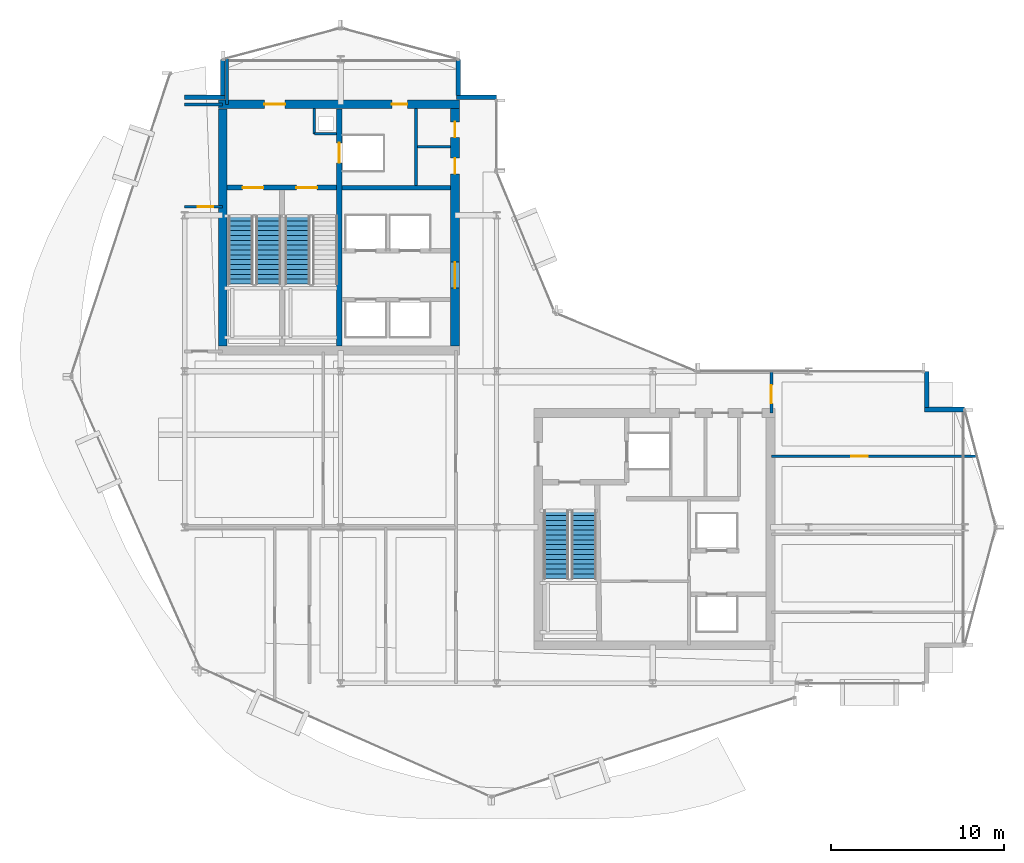
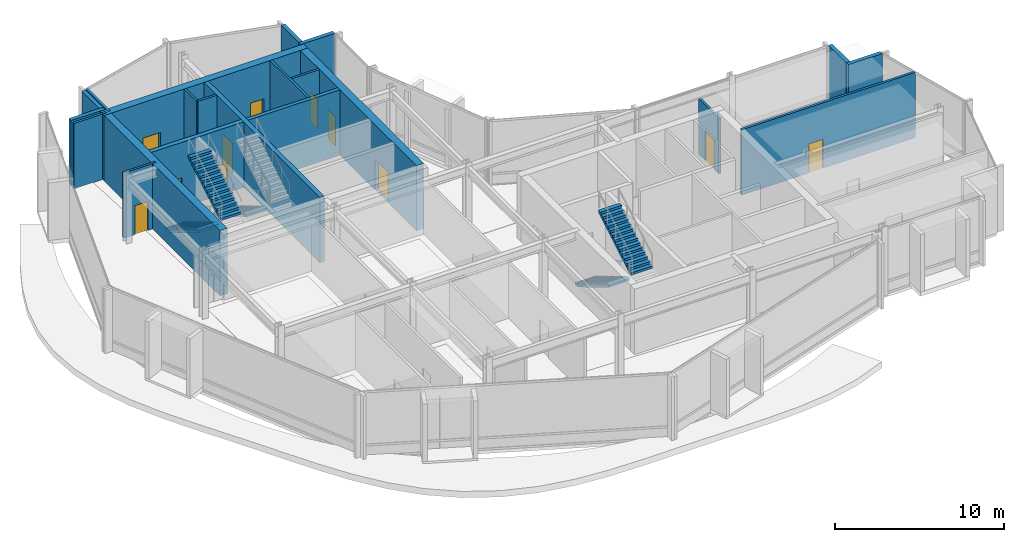
# One storey, part 21 of 28: 21 walls, 11 doors, 5 stair flights, 11 openings, 3 elements without a shape of their own.
"""IFC4 building model written with IfcOpenShell, lengths in metres."""

from ifc_helpers import new_model, si_unit, direction, frame, frame_2d, origin, place, context, subcontext, project, spatial, polyline, rectangle, outline, extrude, material, layer, layer_set, type_object, element, fill, aggregate, save


model = new_model("IFC4")

# Units and contexts
model_context = context("Model", 3, precision=1e-05, world=origin(), true_north=direction((0.0, 1.0)))
body_context = subcontext(model_context, "Body", "Model", "MODEL_VIEW")
ifc_project = project(units=[si_unit("LENGTHUNIT", "METRE"), si_unit("AREAUNIT", "SQUARE_METRE"), si_unit("VOLUMEUNIT", "CUBIC_METRE"), si_unit("PLANEANGLEUNIT", "RADIAN"), si_unit("MASSUNIT", "GRAM", prefix="KILO")], contexts=[model_context])

# Site, building, storey
site_placement = place(None, origin())
site = spatial("IfcSite", under=ifc_project, at=site_placement, CompositionType="ELEMENT")
building_placement = place(site_placement, origin())
building = spatial("IfcBuilding", under=site, at=building_placement, Name="Solvaryn Broadcast Tower", CompositionType="ELEMENT")
storey_placement = place(building_placement, frame((0.0, 0.0, 201.199951171875)))
storey = spatial("IfcBuildingStorey", under=building, at=storey_placement, Name="L50", CompositionType="ELEMENT", Elevation=201.199951171875)

# Wall, openings, doors
ifc_material_1 = material(Name="Concrete f'c 70 MPa", Category="concrete")
ifc_layer_1 = layer(ifc_material_1, 0.5)
ifc_layer_set_1 = layer_set([ifc_layer_1], Name="CW-SHEAR-500")
wall_type_1 = type_object("IfcWallType", Name="CW-SHEAR-500", PredefinedType="SHEAR", material=ifc_layer_set_1)
wall_1_placement = place(storey_placement, frame((24.85009765625, 42.39990234375, 0.0), z_axis=(0.0, 0.0, 1.0), x_axis=(-1.0, 0.0, 0.0)))
wall_1 = element("IfcWall", 1, at=wall_1_placement, inside=storey, type_object=wall_type_1, Name="L50 West Core North Shear Wall", PredefinedType="SHEAR", context=body_context, shape_type="SweptSolid", body=[
    extrude(rectangle(XDim=13.900146484375, YDim=0.5, at=frame_2d((6.9501953125, 0.0))), origin(), (0.0, 0.0, 1.0), 4.719970703125),
])
opening_1_placement = place(wall_1_placement, frame((10.050048828125, 0.0, 0.0)))
opening_1 = element("IfcOpeningElement", 2, at=opening_1_placement, cuts=wall_1, Name="Opening FD90A", PredefinedType="OPENING", context=body_context, shape_type="SweptSolid", body=[
    extrude(rectangle(XDim=1.199951171875, YDim=2.14990234375, at=frame_2d((0.60009765625, 1.074951171875))), frame((0.0, 0.260009765625, 0.0), z_axis=(0.0, -1.0, 0.0), x_axis=(1.0, 0.0, 0.0)), (0.0, 0.0, 1.0), 0.52001953125),
])
opening_2_placement = place(wall_1_placement, frame((3.0, 0.0, 0.0)))
opening_2 = element("IfcOpeningElement", 3, at=opening_2_placement, cuts=wall_1, Name="Opening FD60C", PredefinedType="OPENING", context=body_context, shape_type="SweptSolid", body=[
    extrude(rectangle(XDim=0.89990234375, YDim=2.10009765625, at=frame_2d((0.449951171875, 1.050048828125))), frame((0.0, 0.260009765625, 0.0), z_axis=(0.0, -1.0, 0.0), x_axis=(1.0, 0.0, 0.0)), (0.0, 0.0, 1.0), 0.52001953125),
])
ifc_material_2 = material(Name="Flush Acoustic Steel and Timber Door Assembly", Category="steel")
door_type_1 = type_object("IfcDoorType", Name="FD60-SERV-900X2100", OperationType="NOTDEFINED", PredefinedType="DOOR", material=ifc_material_2)
door_1_placement = place(opening_2_placement, origin())
door_1 = element("IfcDoor", 4, at=door_1_placement, inside=storey, type_object=door_type_1, Name="L50 West Core Fiber Riser Door", OperationType="SINGLE_SWING_RIGHT", OverallHeight=2.10009765625, OverallWidth=0.89990234375, PredefinedType="DOOR", context=body_context, shape_type="SweptSolid", body=[
    extrude(rectangle(XDim=0.89990234375, YDim=2.10009765625, at=frame_2d((0.449951171875, 1.050048828125))), frame((0.0, 0.02490234375, 0.0), z_axis=(0.0, -1.0, 0.0), x_axis=(1.0, 0.0, 0.0)), (0.0, 0.0, 1.0), 0.050048828125),
])
fill(opening_2, door_1)
ifc_material_3 = material(Name="Flush Acoustic Steel and Timber Door Assembly", Category="steel")
door_type_2 = type_object("IfcDoorType", Name="FD90-STAIR-1200X2150", OperationType="NOTDEFINED", PredefinedType="DOOR", material=ifc_material_3)
door_2_placement = place(opening_1_placement, origin())
door_2 = element("IfcDoor", 5, at=door_2_placement, inside=storey, type_object=door_type_2, Name="L50 West FSAE Lobby Corridor Door", OperationType="SINGLE_SWING_LEFT", OverallHeight=2.14990234375, OverallWidth=1.199951171875, PredefinedType="DOOR", context=body_context, shape_type="SweptSolid", body=[
    extrude(rectangle(XDim=1.199951171875, YDim=2.14990234375, at=frame_2d((0.60009765625, 1.074951171875))), frame((0.0, 0.02490234375, 0.0), z_axis=(0.0, -1.0, 0.0), x_axis=(1.0, 0.0, 0.0)), (0.0, 0.0, 1.0), 0.050048828125),
])
fill(opening_1, door_2)

# Wall
wall_2_placement = place(storey_placement, frame((11.199951171875, 42.14990234375, 0.0), z_axis=(0.0, 0.0, 1.0), x_axis=(0.0, -1.0, 0.0)))
element("IfcWall", 6, at=wall_2_placement, inside=storey, type_object=wall_type_1, Name="L50 West Core West Shear Wall", PredefinedType="SHEAR", context=body_context, shape_type="SweptSolid", body=[
    extrude(rectangle(XDim=13.699951171875, YDim=0.5, at=frame_2d((6.85009765625, 0.0))), origin(), (0.0, 0.0, 1.0), 4.719970703125),
])

# Wall, openings, doors
wall_3_placement = place(storey_placement, frame((24.60009765625, 28.449951171875, 0.0), z_axis=(0.0, 0.0, 1.0), x_axis=(0.0, 1.0, 0.0)))
wall_3 = element("IfcWall", 7, at=wall_3_placement, inside=storey, type_object=wall_type_1, Name="L50 West Core East Shear Wall", PredefinedType="SHEAR", context=body_context, shape_type="SweptSolid", body=[
    extrude(rectangle(XDim=13.699951171875, YDim=0.5, at=frame_2d((6.85009765625, 0.0))), origin(), (0.0, 0.0, 1.0), 4.719970703125),
])
opening_3_placement = place(wall_3_placement, frame((3.35009765625, 0.0, 0.0)))
opening_3 = element("IfcOpeningElement", 8, at=opening_3_placement, cuts=wall_3, Name="Opening FD60A", PredefinedType="OPENING", context=body_context, shape_type="SweptSolid", body=[
    extrude(rectangle(XDim=1.5, YDim=2.199951171875, at=frame_2d((0.75, 1.10009765625))), frame((0.0, 0.260009765625, 0.0), z_axis=(0.0, -1.0, 0.0), x_axis=(1.0, 0.0, 0.0)), (0.0, 0.0, 1.0), 0.52001953125),
])
opening_4_placement = place(wall_3_placement, frame((9.949951171875, 0.0, 0.0)))
opening_4 = element("IfcOpeningElement", 9, at=opening_4_placement, cuts=wall_3, Name="Opening FD60C", PredefinedType="OPENING", context=body_context, shape_type="SweptSolid", body=[
    extrude(rectangle(XDim=0.89990234375, YDim=2.10009765625, at=frame_2d((0.449951171875, 1.050048828125))), frame((0.0, 0.260009765625, 0.0), z_axis=(0.0, -1.0, 0.0), x_axis=(1.0, 0.0, 0.0)), (0.0, 0.0, 1.0), 0.52001953125),
])
opening_5_placement = place(wall_3_placement, frame((12.050048828125, 0.0, 0.0)))
opening_5 = element("IfcOpeningElement", 10, at=opening_5_placement, cuts=wall_3, Name="Opening FD60C", PredefinedType="OPENING", context=body_context, shape_type="SweptSolid", body=[
    extrude(rectangle(XDim=0.89990234375, YDim=2.10009765625, at=frame_2d((0.449951171875, 1.050048828125))), frame((0.0, 0.260009765625, 0.0), z_axis=(0.0, -1.0, 0.0), x_axis=(1.0, 0.0, 0.0)), (0.0, 0.0, 1.0), 0.52001953125),
])
ifc_material_4 = material(Name="Flush Acoustic Steel and Timber Door Assembly", Category="steel")
door_type_3 = type_object("IfcDoorType", Name="FD60-CORR-1500X2200", OperationType="NOTDEFINED", PredefinedType="DOOR", material=ifc_material_4)
door_3_placement = place(opening_3_placement, origin())
door_3 = element("IfcDoor", 11, at=door_3_placement, inside=storey, type_object=door_type_3, Name="L50 West Elevator Lobby Corridor Door", OperationType="DOUBLE_DOOR_SINGLE_SWING", OverallHeight=2.199951171875, OverallWidth=1.5, PredefinedType="DOOR", context=body_context, shape_type="SweptSolid", body=[
    extrude(rectangle(XDim=1.5, YDim=2.199951171875, at=frame_2d((0.75, 1.10009765625))), frame((0.0, 0.02490234375, 0.0), z_axis=(0.0, -1.0, 0.0), x_axis=(1.0, 0.0, 0.0)), (0.0, 0.0, 1.0), 0.050048828125),
])
fill(opening_3, door_3)
door_4_placement = place(opening_4_placement, origin())
door_4 = element("IfcDoor", 12, at=door_4_placement, inside=storey, type_object=door_type_1, Name="L50 West Core Service Door 1", OperationType="SINGLE_SWING_LEFT", OverallHeight=2.10009765625, OverallWidth=0.89990234375, PredefinedType="DOOR", context=body_context, shape_type="SweptSolid", body=[
    extrude(rectangle(XDim=0.89990234375, YDim=2.10009765625, at=frame_2d((0.449951171875, 1.050048828125))), frame((0.0, 0.02490234375, 0.0), z_axis=(0.0, -1.0, 0.0), x_axis=(1.0, 0.0, 0.0)), (0.0, 0.0, 1.0), 0.050048828125),
])
fill(opening_4, door_4)
door_5_placement = place(opening_5_placement, origin())
door_5 = element("IfcDoor", 13, at=door_5_placement, inside=storey, type_object=door_type_1, Name="L50 West Core Janitor Door", OperationType="SINGLE_SWING_RIGHT", OverallHeight=2.10009765625, OverallWidth=0.89990234375, PredefinedType="DOOR", context=body_context, shape_type="SweptSolid", body=[
    extrude(rectangle(XDim=0.89990234375, YDim=2.10009765625, at=frame_2d((0.449951171875, 1.050048828125))), frame((0.0, 0.02490234375, 0.0), z_axis=(0.0, -1.0, 0.0), x_axis=(1.0, 0.0, 0.0)), (0.0, 0.0, 1.0), 0.050048828125),
])
fill(opening_5, door_5)

# Walls
ifc_material_5 = material(Name="Concrete f'c 50 MPa", Category="concrete")
ifc_layer_2 = layer(ifc_material_5, 0.260009765625)
ifc_layer_set_2 = layer_set([ifc_layer_2], Name="EW-PIER-260")
wall_type_2 = type_object("IfcWallType", Name="EW-PIER-260", PredefinedType="SOLIDWALL", material=ifc_layer_set_2)
wall_4_placement = place(storey_placement, frame((9.0, 42.800048828125, 0.0), z_axis=(0.0, 0.0, 1.0), x_axis=(1.0, 0.0, 0.0)))
element("IfcWall", 14, at=wall_4_placement, inside=storey, type_object=wall_type_2, Name="L50 Notched Corner Pier Wall NNW1", PredefinedType="SOLIDWALL", context=body_context, shape_type="SweptSolid", body=[
    extrude(rectangle(XDim=2.320068359375, YDim=0.260009765625, at=frame_2d((1.16015625, 0.0))), origin(), (0.0, 0.0, 1.0), 4.719970703125),
])
for number, where, z_axis, x_axis, name in (
    (15, (11.199951171875, 42.919921875, 0.0), (0.0, 0.0, 1.0), (0.0, 1.0, 0.0), "L50 Notched Corner Pier Wall NNW2"),
    (16, (24.800048828125, 45.0, 0.0), (0.0, 0.0, 1.0), (0.0, -1.0, 0.0), "L50 Notched Corner Pier Wall NNE1"),
):
    element("IfcWall", number, at=place(storey_placement, frame(where, z_axis=z_axis, x_axis=x_axis)), inside=storey, type_object=wall_type_2, Name=name, PredefinedType="SOLIDWALL", context=body_context, shape_type="SweptSolid", body=[
        extrude(rectangle(XDim=2.080078125, YDim=0.260009765625, at=frame_2d((1.0400390625, 0.0))), origin(), (0.0, 0.0, 1.0), 4.719970703125),
    ])
for number, where, z_axis, x_axis, name in (
    (17, (24.679931640625, 42.800048828125, 0.0), (0.0, 0.0, 1.0), (1.0, 0.0, 0.0), "L50 Notched Corner Pier Wall NNE2"),
    (18, (54.0, 24.800048828125, 0.0), (0.0, 0.0, 1.0), (-1.0, 0.0, 0.0), "L50 Notched Corner Pier Wall NEE1"),
):
    element("IfcWall", number, at=place(storey_placement, frame(where, z_axis=z_axis, x_axis=x_axis)), inside=storey, type_object=wall_type_2, Name=name, PredefinedType="SOLIDWALL", context=body_context, shape_type="SweptSolid", body=[
        extrude(rectangle(XDim=2.320068359375, YDim=0.260009765625, at=frame_2d((1.16015625, 0.0))), origin(), (0.0, 0.0, 1.0), 4.719970703125),
    ])
wall_5_placement = place(storey_placement, frame((51.800048828125, 24.919921875, 0.0), z_axis=(0.0, 0.0, 1.0), x_axis=(0.0, 1.0, 0.0)))
element("IfcWall", 19, at=wall_5_placement, inside=storey, type_object=wall_type_2, Name="L50 Notched Corner Pier Wall NEE2", PredefinedType="SOLIDWALL", context=body_context, shape_type="SweptSolid", body=[
    extrude(rectangle(XDim=2.080078125, YDim=0.260009765625, at=frame_2d((1.0400390625, 0.0))), origin(), (0.0, 0.0, 1.0), 4.719970703125),
])
ifc_material_6 = material(Name="Metal-Stud Service Core Partition")
ifc_layer_3 = layer(ifc_material_6, 0.14990234375)
ifc_layer_set_3 = layer_set([ifc_layer_3], Name="IW-PART-150")
wall_type_3 = type_object("IfcWallType", Name="IW-PART-150", PredefinedType="PARTITIONING", material=ifc_layer_set_3)
wall_6_placement = place(storey_placement, frame((16.47998046875, 40.699951171875, 0.0), z_axis=(0.0, 0.0, 1.0), x_axis=(1.0, 0.0, 0.0)))
element("IfcWall", 20, at=wall_6_placement, inside=storey, type_object=wall_type_3, Name="L50 West Core Riser Shaft South Wall", PredefinedType="PARTITIONING", context=body_context, shape_type="SweptSolid", body=[
    extrude(rectangle(XDim=1.2900390625, YDim=0.14990234375, at=frame_2d((0.64501953125, 0.0))), origin(), (0.0, 0.0, 1.0), 4.719970703125),
])
wall_7_placement = place(storey_placement, frame((16.47998046875, 40.699951171875, 0.0), z_axis=(0.0, 0.0, 1.0), x_axis=(0.0, 1.0, 0.0)))
element("IfcWall", 21, at=wall_7_placement, inside=storey, type_object=wall_type_3, Name="L50 West Core Riser Shaft West Wall", PredefinedType="PARTITIONING", context=body_context, shape_type="SweptSolid", body=[
    extrude(rectangle(XDim=1.449951171875, YDim=0.14990234375, at=frame_2d((0.72509765625, 0.0))), origin(), (0.0, 0.0, 1.0), 4.719970703125),
])
wall_8_placement = place(storey_placement, frame((22.35009765625, 37.72998046875, 0.0), z_axis=(0.0, 0.0, 1.0), x_axis=(0.0, 1.0, 0.0)))
element("IfcWall", 22, at=wall_8_placement, inside=storey, type_object=wall_type_3, Name="L50 Interior Partition IW-L50-CWS-V", PredefinedType="PARTITIONING", context=body_context, shape_type="SweptSolid", body=[
    extrude(rectangle(XDim=4.419921875, YDim=0.14990234375, at=frame_2d((2.2099609375, 0.0))), origin(), (0.0, 0.0, 1.0), 4.719970703125),
])
wall_9_placement = place(storey_placement, frame((22.429931640625, 39.949951171875, 0.0), z_axis=(0.0, 0.0, 1.0), x_axis=(1.0, 0.0, 0.0)))
element("IfcWall", 23, at=wall_9_placement, inside=storey, type_object=wall_type_3, Name="L50 Interior Partition IW-L50-CWS-H", PredefinedType="PARTITIONING", context=body_context, shape_type="SweptSolid", body=[
    extrude(rectangle(XDim=1.920166015625, YDim=0.14990234375, at=frame_2d((0.9599609375, 0.0))), origin(), (0.0, 0.0, 1.0), 4.719970703125),
])

# Wall, opening, door
wall_10_placement = place(storey_placement, frame((9.0, 36.5, 0.0), z_axis=(0.0, 0.0, 1.0), x_axis=(1.0, 0.0, 0.0)))
wall_10 = element("IfcWall", 24, at=wall_10_placement, inside=storey, type_object=wall_type_3, Name="L50 Interior Partition IW-L50-WM-M", PredefinedType="PARTITIONING", context=body_context, shape_type="SweptSolid", body=[
    extrude(rectangle(XDim=2.199951171875, YDim=0.14990234375, at=frame_2d((1.10009765625, 0.0))), origin(), (0.0, 0.0, 1.0), 4.719970703125),
])
opening_6_placement = place(wall_10_placement, frame((0.75, 0.0, 0.0)))
opening_6 = element("IfcOpeningElement", 25, at=opening_6_placement, cuts=wall_10, Name="Opening FD60C", PredefinedType="OPENING", context=body_context, shape_type="SweptSolid", body=[
    extrude(rectangle(XDim=0.89990234375, YDim=2.10009765625, at=frame_2d((0.449951171875, 1.050048828125))), frame((0.0, 0.0849609375, 0.0), z_axis=(0.0, -1.0, 0.0), x_axis=(1.0, 0.0, 0.0)), (0.0, 0.0, 1.0), 0.169921875),
])
door_6_placement = place(opening_6_placement, origin())
door_6 = element("IfcDoor", 26, at=door_6_placement, inside=storey, type_object=door_type_1, Name="L50 Door DR-L50-WM1", OperationType="SINGLE_SWING_LEFT", OverallHeight=2.10009765625, OverallWidth=0.89990234375, PredefinedType="DOOR", context=body_context, shape_type="SweptSolid", body=[
    extrude(rectangle(XDim=0.89990234375, YDim=2.10009765625, at=frame_2d((0.449951171875, 1.050048828125))), frame((0.0, 0.02490234375, 0.0), z_axis=(0.0, -1.0, 0.0), x_axis=(1.0, 0.0, 0.0)), (0.0, 0.0, 1.0), 0.050048828125),
])
fill(opening_6, door_6)

# Walls
ifc_material_7 = material(Name="Metal-Stud Gypsum Office Partition")
ifc_layer_4 = layer(ifc_material_7, 0.159912109375)
ifc_layer_set_4 = layer_set([ifc_layer_4], Name="IW-PART-160")
wall_type_4 = type_object("IfcWallType", Name="IW-PART-160", PredefinedType="PARTITIONING", material=ifc_layer_set_4)
wall_11_placement = place(storey_placement, frame((9.0, 42.39990234375, 0.0), z_axis=(0.0, 0.0, 1.0), x_axis=(1.0, 0.0, 0.0)))
element("IfcWall", 27, at=wall_11_placement, inside=storey, type_object=wall_type_4, Name="L50 Interior Partition IW-L50-WM-N", PredefinedType="PARTITIONING", context=body_context, shape_type="SweptSolid", body=[
    extrude(rectangle(XDim=2.199951171875, YDim=0.159912109375, at=frame_2d((1.10009765625, 0.0))), origin(), (0.0, 0.0, 1.0), 4.719970703125),
])
wall_12_placement = place(storey_placement, frame((11.449951171875, 42.39990234375, 0.0), z_axis=(0.0, 0.0, 1.0), x_axis=(0.0, 1.0, 0.0)))
element("IfcWall", 28, at=wall_12_placement, inside=storey, type_object=wall_type_4, Name="L50 Interior Partition IW-L50-WM-E", PredefinedType="PARTITIONING", context=body_context, shape_type="SweptSolid", body=[
    extrude(rectangle(XDim=2.666015625, YDim=0.159912109375, at=frame_2d((1.3330078125, 0.0))), origin(), (0.0, 0.0, 1.0), 4.719970703125),
])

# Wall, opening, door
wall_13_placement = place(storey_placement, frame((42.85009765625, 24.60009765625, 0.0), z_axis=(0.0, 0.0, 1.0), x_axis=(0.0, 1.0, 0.0)))
wall_13 = element("IfcWall", 29, at=wall_13_placement, inside=storey, type_object=wall_type_4, Name="L50 Interior Partition IW-L50-EW-BN", PredefinedType="PARTITIONING", context=body_context, shape_type="SweptSolid", body=[
    extrude(rectangle(XDim=2.39990234375, YDim=0.159912109375, at=frame_2d((1.199951171875, 0.0))), origin(), (0.0, 0.0, 1.0), 4.007080078125),
])
opening_7_placement = place(wall_13_placement, frame((0.550048828125, 0.0, 0.0)))
opening_7 = element("IfcOpeningElement", 30, at=opening_7_placement, cuts=wall_13, Name="Opening ID03", PredefinedType="OPENING", context=body_context, shape_type="SweptSolid", body=[
    extrude(rectangle(XDim=1.050048828125, YDim=2.14990234375, at=frame_2d((0.52490234375, 1.074951171875))), frame((0.0, 0.090087890625, 0.0), z_axis=(0.0, -1.0, 0.0), x_axis=(1.0, 0.0, 0.0)), (0.0, 0.0, 1.0), 0.179931640625),
])
ifc_material_8 = material(Name="Flush Acoustic Steel and Timber Door Assembly", Category="steel")
door_type_4 = type_object("IfcDoorType", Name="ID-03-1050X2150", OperationType="NOTDEFINED", PredefinedType="DOOR", material=ifc_material_8)
door_7_placement = place(opening_7_placement, origin())
door_7 = element("IfcDoor", 31, at=door_7_placement, inside=storey, type_object=door_type_4, Name="L50 Door DR-L50-EW0", OperationType="SINGLE_SWING_RIGHT", OverallHeight=2.14990234375, OverallWidth=1.050048828125, PredefinedType="DOOR", context=body_context, shape_type="SweptSolid", body=[
    extrude(rectangle(XDim=1.050048828125, YDim=2.14990234375, at=frame_2d((0.52490234375, 1.074951171875))), frame((0.0, 0.02490234375, 0.0), z_axis=(0.0, -1.0, 0.0), x_axis=(1.0, 0.0, 0.0)), (0.0, 0.0, 1.0), 0.050048828125),
])
fill(opening_7, door_7)

wall_14_placement = place(storey_placement, frame((42.85009765625, 22.10009765625, 0.0), z_axis=(0.0, 0.0, 1.0), x_axis=(1.0, 0.0, 0.0)))
wall_14 = element("IfcWall", 32, at=wall_14_placement, inside=storey, type_object=wall_type_4, Name="L50 Interior Partition IW-L50-EW-H3", PredefinedType="PARTITIONING", context=body_context, shape_type="SweptSolid", body=[
    extrude(rectangle(XDim=11.864990234375, YDim=0.159912109375, at=frame_2d((5.9326171875, 0.0))), origin(), (0.0, 0.0, 1.0), 4.719970703125),
])
opening_8_placement = place(wall_14_placement, frame((4.60009765625, 0.0, 0.0)))
opening_8 = element("IfcOpeningElement", 33, at=opening_8_placement, cuts=wall_14, Name="Opening ID01", PredefinedType="OPENING", context=body_context, shape_type="SweptSolid", body=[
    extrude(rectangle(XDim=0.949951171875, YDim=2.10009765625, at=frame_2d((0.47509765625, 1.050048828125))), frame((0.0, 0.090087890625, 0.0), z_axis=(0.0, -1.0, 0.0), x_axis=(1.0, 0.0, 0.0)), (0.0, 0.0, 1.0), 0.179931640625),
])
ifc_material_9 = material(Name="Flush Acoustic Steel and Timber Door Assembly", Category="steel")
door_type_5 = type_object("IfcDoorType", Name="ID-01-950X2100", OperationType="NOTDEFINED", PredefinedType="DOOR", material=ifc_material_9)
door_8_placement = place(opening_8_placement, origin())
door_8 = element("IfcDoor", 34, at=door_8_placement, inside=storey, type_object=door_type_5, Name="L50 Door DR-L50-EW-3", OperationType="SINGLE_SWING_LEFT", OverallHeight=2.10009765625, OverallWidth=0.949951171875, PredefinedType="DOOR", context=body_context, shape_type="SweptSolid", body=[
    extrude(rectangle(XDim=0.949951171875, YDim=2.10009765625, at=frame_2d((0.47509765625, 1.050048828125))), frame((0.0, 0.02490234375, 0.0), z_axis=(0.0, -1.0, 0.0), x_axis=(1.0, 0.0, 0.0)), (0.0, 0.0, 1.0), 0.050048828125),
])
fill(opening_8, door_8)

# Wall
ifc_material_10 = material(Name="Concrete f'c 60 MPa", Category="concrete")
ifc_layer_5 = layer(ifc_material_10, 0.25)
ifc_layer_set_5 = layer_set([ifc_layer_5], Name="SW-SHAFT-250")
wall_type_5 = type_object("IfcWallType", Name="SW-SHAFT-250", PredefinedType="PARTITIONING", material=ifc_layer_set_5)
wall_15_placement = place(storey_placement, frame((18.070068359375, 37.60009765625, 0.0), z_axis=(0.0, 0.0, 1.0), x_axis=(1.0, 0.0, 0.0)))
element("IfcWall", 35, at=wall_15_placement, inside=storey, type_object=wall_type_5, Name="L50 West Core FSAE Hoistway Front Wall", PredefinedType="PARTITIONING", context=body_context, shape_type="SweptSolid", body=[
    extrude(rectangle(XDim=6.280029296875, YDim=0.25, at=frame_2d((3.14013671875, 0.0))), origin(), (0.0, 0.0, 1.0), 4.719970703125),
])

# Wall, opening, door
ifc_material_11 = material(Name="Concrete f'c 70 MPa", Category="concrete")
ifc_layer_6 = layer(ifc_material_11, 0.300048828125)
ifc_layer_set_6 = layer_set([ifc_layer_6], Name="SW-SHAFT-300")
wall_type_6 = type_object("IfcWallType", Name="SW-SHAFT-300", PredefinedType="SHEAR", material=ifc_layer_set_6)
wall_16_placement = place(storey_placement, frame((17.919921875, 42.14990234375, 0.0), z_axis=(0.0, 0.0, 1.0), x_axis=(0.0, -1.0, 0.0)))
wall_16 = element("IfcWall", 36, at=wall_16_placement, inside=storey, type_object=wall_type_6, Name="L50 West Core Stair-Lobby Shear Wall", PredefinedType="SHEAR", context=body_context, shape_type="SweptSolid", body=[
    extrude(rectangle(XDim=13.699951171875, YDim=0.300048828125, at=frame_2d((6.85009765625, 0.0))), origin(), (0.0, 0.0, 1.0), 4.719970703125),
])
opening_9_placement = place(wall_16_placement, frame((1.97509765625, 0.0, 0.0)))
opening_9 = element("IfcOpeningElement", 37, at=opening_9_placement, cuts=wall_16, Name="Opening LD01", PredefinedType="OPENING", context=body_context, shape_type="SweptSolid", body=[
    extrude(rectangle(XDim=1.14990234375, YDim=2.14990234375, at=frame_2d((0.574951171875, 1.074951171875))), frame((0.0, 0.159912109375, 0.0), z_axis=(0.0, -1.0, 0.0), x_axis=(1.0, 0.0, 0.0)), (0.0, 0.0, 1.0), 0.320068359375),
])
ifc_material_12 = material(Name="Flush Acoustic Steel and Timber Door Assembly", Category="steel")
door_type_6 = type_object("IfcDoorType", Name="LD-LIFT-1150X2150", OperationType="NOTDEFINED", PredefinedType="DOOR", material=ifc_material_12)
door_9_placement = place(opening_9_placement, origin())
door_9 = element("IfcDoor", 38, at=door_9_placement, inside=storey, type_object=door_type_6, Name="L50 FL1 Lift Landing Door", OperationType="DOUBLE_DOOR_SLIDING", OverallHeight=2.14990234375, OverallWidth=1.14990234375, PredefinedType="DOOR", context=body_context, shape_type="SweptSolid", body=[
    extrude(rectangle(XDim=1.14990234375, YDim=2.14990234375, at=frame_2d((0.574951171875, 1.074951171875))), frame((0.0, 0.02490234375, 0.0), z_axis=(0.0, -1.0, 0.0), x_axis=(1.0, 0.0, 0.0)), (0.0, 0.0, 1.0), 0.050048828125),
])
fill(opening_9, door_9)

# Wall, openings, doors
wall_17_placement = place(storey_placement, frame((17.77001953125, 37.60009765625, 0.0), z_axis=(0.0, 0.0, 1.0), x_axis=(-1.0, 0.0, 0.0)))
wall_17 = element("IfcWall", 39, at=wall_17_placement, inside=storey, type_object=wall_type_6, Name="L50 West Core FSAE Lobby South Wall", PredefinedType="SHEAR", context=body_context, shape_type="SweptSolid", body=[
    extrude(rectangle(XDim=6.320068359375, YDim=0.300048828125, at=frame_2d((3.16015625, 0.0))), origin(), (0.0, 0.0, 1.0), 4.719970703125),
])
opening_10_placement = place(wall_17_placement, frame((4.219970703125, 0.0, 0.0)))
opening_10 = element("IfcOpeningElement", 40, at=opening_10_placement, cuts=wall_17, Name="Opening FD90A", PredefinedType="OPENING", context=body_context, shape_type="SweptSolid", body=[
    extrude(rectangle(XDim=1.199951171875, YDim=2.14990234375, at=frame_2d((0.60009765625, 1.074951171875))), frame((0.0, 0.159912109375, 0.0), z_axis=(0.0, -1.0, 0.0), x_axis=(1.0, 0.0, 0.0)), (0.0, 0.0, 1.0), 0.320068359375),
])
opening_11_placement = place(wall_17_placement, frame((1.1201171875, 0.0, 0.0)))
opening_11 = element("IfcOpeningElement", 41, at=opening_11_placement, cuts=wall_17, Name="Opening FD90A", PredefinedType="OPENING", context=body_context, shape_type="SweptSolid", body=[
    extrude(rectangle(XDim=1.199951171875, YDim=2.14990234375, at=frame_2d((0.60009765625, 1.074951171875))), frame((0.0, 0.159912109375, 0.0), z_axis=(0.0, -1.0, 0.0), x_axis=(1.0, 0.0, 0.0)), (0.0, 0.0, 1.0), 0.320068359375),
])
door_10_placement = place(opening_10_placement, origin())
door_10 = element("IfcDoor", 42, at=door_10_placement, inside=storey, type_object=door_type_2, Name="L50 Stair 1 Fire Door", OperationType="SINGLE_SWING_LEFT", OverallHeight=2.14990234375, OverallWidth=1.199951171875, PredefinedType="DOOR", context=body_context, shape_type="SweptSolid", body=[
    extrude(rectangle(XDim=1.199951171875, YDim=2.14990234375, at=frame_2d((0.60009765625, 1.074951171875))), frame((0.0, 0.02490234375, 0.0), z_axis=(0.0, -1.0, 0.0), x_axis=(1.0, 0.0, 0.0)), (0.0, 0.0, 1.0), 0.050048828125),
])
fill(opening_10, door_10)
door_11_placement = place(opening_11_placement, origin())
door_11 = element("IfcDoor", 43, at=door_11_placement, inside=storey, type_object=door_type_2, Name="L50 Stair 2 Fire Door", OperationType="SINGLE_SWING_RIGHT", OverallHeight=2.14990234375, OverallWidth=1.199951171875, PredefinedType="DOOR", context=body_context, shape_type="SweptSolid", body=[
    extrude(rectangle(XDim=1.199951171875, YDim=2.14990234375, at=frame_2d((0.60009765625, 1.074951171875))), frame((0.0, 0.02490234375, 0.0), z_axis=(0.0, -1.0, 0.0), x_axis=(1.0, 0.0, 0.0)), (0.0, 0.0, 1.0), 0.050048828125),
])
fill(opening_11, door_11)

# Stair, stair flights
ifc_material_13 = material(Name="Concrete f'c 60 MPa", Category="concrete")
stair_type = type_object("IfcStairType", Name="ST-CORE", PredefinedType="HALF_TURN_STAIR", material=ifc_material_13)
stair_1_placement = place(storey_placement, origin())
stair_1 = element("IfcStair", 44, at=stair_1_placement, inside=storey, type_object=stair_type, Name="L50 ST1", PredefinedType="HALF_TURN_STAIR")
ifc_material_14 = material(Name="Concrete f'c 60 MPa", Category="concrete")
ifc_layer_7 = layer(ifc_material_14, 0.159912109375)
ifc_layer_set_7 = layer_set([ifc_layer_7], Name="SF-CORE")
stair_flight_type = type_object("IfcStairFlightType", Name="SF-CORE", PredefinedType="STRAIGHT", material=ifc_layer_set_7)
stair_flight_1_placement = place(storey_placement, frame((12.239990234375, 35.9599609375, 0.0), z_axis=(0.0, 0.0, 1.0), x_axis=(0.0, -1.0, 0.0)))
stair_flight_1 = element("IfcStairFlight", 45, at=stair_flight_1_placement, type_object=stair_flight_type, Name="ST1 flight 1", NumberOfRisers=15, NumberOfTreads=14, PredefinedType="STRAIGHT", RiserHeight=0.166666667, TreadLength=0.28, context=body_context, shape_type="SweptSolid", body=[
    extrude(outline(polyline([(0.0, 0.0), (0.0, 0.166748046875), (0.280029296875, 0.166748046875), (0.280029296875, 0.333251953125), (0.56005859375, 0.333251953125), (0.56005859375, 0.5), (0.840087890625, 0.5), (0.840087890625, 0.666748046875), (1.1201171875, 0.666748046875), (1.1201171875, 0.833251953125), (1.39990234375, 0.833251953125), (1.39990234375, 1.0), (1.679931640625, 1.0), (1.679931640625, 1.166748046875), (1.9599609375, 1.166748046875), (1.9599609375, 1.333251953125), (2.239990234375, 1.333251953125), (2.239990234375, 1.5), (2.52001953125, 1.5), (2.52001953125, 1.666748046875), (2.800048828125, 1.666748046875), (2.800048828125, 1.833251953125), (3.080078125, 1.833251953125), (3.080078125, 2.0), (3.360107421875, 2.0), (3.360107421875, 2.166748046875), (3.639892578125, 2.166748046875), (3.639892578125, 2.333251953125), (3.919921875, 2.333251953125), (3.919921875, 2.5), (3.919921875, 2.158935546875), (0.29296875, 0.0), (0.0, 0.0)])), frame((0.0, 0.719970703125, 0.0), z_axis=(0.0, -1.0, 0.0), x_axis=(1.0, 0.0, 0.0)), (0.0, 0.0, 1.0), 1.43994140625),
])
stair_flight_2_placement = place(storey_placement, frame((13.830078125, 32.0400390625, 2.5), z_axis=(0.0, 0.0, 1.0), x_axis=(0.0, 1.0, 0.0)))
stair_flight_2 = element("IfcStairFlight", 46, at=stair_flight_2_placement, type_object=stair_flight_type, Name="ST1 flight 2", NumberOfRisers=15, NumberOfTreads=14, PredefinedType="STRAIGHT", RiserHeight=0.166666667, TreadLength=0.28, context=body_context, shape_type="SweptSolid", body=[
    extrude(outline(polyline([(0.0, 0.0), (0.0, 0.166748046875), (0.280029296875, 0.166748046875), (0.280029296875, 0.333251953125), (0.56005859375, 0.333251953125), (0.56005859375, 0.5), (0.840087890625, 0.5), (0.840087890625, 0.666748046875), (1.1201171875, 0.666748046875), (1.1201171875, 0.833251953125), (1.39990234375, 0.833251953125), (1.39990234375, 1.0), (1.679931640625, 1.0), (1.679931640625, 1.166748046875), (1.9599609375, 1.166748046875), (1.9599609375, 1.333251953125), (2.239990234375, 1.333251953125), (2.239990234375, 1.5), (2.52001953125, 1.5), (2.52001953125, 1.666748046875), (2.800048828125, 1.666748046875), (2.800048828125, 1.833251953125), (3.080078125, 1.833251953125), (3.080078125, 2.0), (3.360107421875, 2.0), (3.360107421875, 2.166748046875), (3.639892578125, 2.166748046875), (3.639892578125, 2.333251953125), (3.919921875, 2.333251953125), (3.919921875, 2.5), (3.919921875, 2.158935546875), (0.29296875, 0.0), (0.0, 0.0)])), frame((0.0, 0.719970703125, 0.0), z_axis=(0.0, -1.0, 0.0), x_axis=(1.0, 0.0, 0.0)), (0.0, 0.0, 1.0), 1.43994140625),
])
aggregate(stair_1, [stair_flight_1, stair_flight_2])

# Stair, stair flight
stair_2_placement = place(storey_placement, origin())
stair_2 = element("IfcStair", 47, at=stair_2_placement, inside=storey, type_object=stair_type, Name="L50 ST2", PredefinedType="HALF_TURN_STAIR")
stair_flight_3_placement = place(storey_placement, frame((15.52001953125, 35.9599609375, 0.0), z_axis=(0.0, 0.0, 1.0), x_axis=(0.0, -1.0, 0.0)))
stair_flight_3 = element("IfcStairFlight", 48, at=stair_flight_3_placement, type_object=stair_flight_type, Name="ST2 flight 1", NumberOfRisers=15, NumberOfTreads=14, PredefinedType="STRAIGHT", RiserHeight=0.166666667, TreadLength=0.28, context=body_context, shape_type="SweptSolid", body=[
    extrude(outline(polyline([(0.0, 0.0), (0.0, 0.166748046875), (0.280029296875, 0.166748046875), (0.280029296875, 0.333251953125), (0.56005859375, 0.333251953125), (0.56005859375, 0.5), (0.840087890625, 0.5), (0.840087890625, 0.666748046875), (1.1201171875, 0.666748046875), (1.1201171875, 0.833251953125), (1.39990234375, 0.833251953125), (1.39990234375, 1.0), (1.679931640625, 1.0), (1.679931640625, 1.166748046875), (1.9599609375, 1.166748046875), (1.9599609375, 1.333251953125), (2.239990234375, 1.333251953125), (2.239990234375, 1.5), (2.52001953125, 1.5), (2.52001953125, 1.666748046875), (2.800048828125, 1.666748046875), (2.800048828125, 1.833251953125), (3.080078125, 1.833251953125), (3.080078125, 2.0), (3.360107421875, 2.0), (3.360107421875, 2.166748046875), (3.639892578125, 2.166748046875), (3.639892578125, 2.333251953125), (3.919921875, 2.333251953125), (3.919921875, 2.5), (3.919921875, 2.158935546875), (0.29296875, 0.0), (0.0, 0.0)])), frame((0.0, 0.719970703125, 0.0), z_axis=(0.0, -1.0, 0.0), x_axis=(1.0, 0.0, 0.0)), (0.0, 0.0, 1.0), 1.43994140625),
])
aggregate(stair_2, [stair_flight_3])

# Stair, stair flights
stair_3_placement = place(storey_placement, origin())
stair_3 = element("IfcStair", 49, at=stair_3_placement, inside=storey, type_object=stair_type, Name="L50 ST3", PredefinedType="HALF_TURN_STAIR")
stair_flight_4_placement = place(storey_placement, frame((30.43994140625, 18.9599609375, 0.0), z_axis=(0.0, 0.0, 1.0), x_axis=(0.0, -1.0, 0.0)))
stair_flight_4 = element("IfcStairFlight", 50, at=stair_flight_4_placement, type_object=stair_flight_type, Name="ST3 flight 1", NumberOfRisers=15, NumberOfTreads=14, PredefinedType="STRAIGHT", RiserHeight=0.166666667, TreadLength=0.28, context=body_context, shape_type="SweptSolid", body=[
    extrude(outline(polyline([(0.0, 0.0), (0.0, 0.166748046875), (0.280029296875, 0.166748046875), (0.280029296875, 0.333251953125), (0.56005859375, 0.333251953125), (0.56005859375, 0.5), (0.840087890625, 0.5), (0.840087890625, 0.666748046875), (1.1201171875, 0.666748046875), (1.1201171875, 0.833251953125), (1.39990234375, 0.833251953125), (1.39990234375, 1.0), (1.679931640625, 1.0), (1.679931640625, 1.166748046875), (1.9599609375, 1.166748046875), (1.9599609375, 1.333251953125), (2.239990234375, 1.333251953125), (2.239990234375, 1.5), (2.52001953125, 1.5), (2.52001953125, 1.666748046875), (2.800048828125, 1.666748046875), (2.800048828125, 1.833251953125), (3.080078125, 1.833251953125), (3.080078125, 2.0), (3.360107421875, 2.0), (3.360107421875, 2.166748046875), (3.639892578125, 2.166748046875), (3.639892578125, 2.333251953125), (3.919921875, 2.333251953125), (3.919921875, 2.5), (3.919921875, 2.158935546875), (0.29296875, 0.0), (0.0, 0.0)])), frame((0.0, 0.719970703125, 0.0), z_axis=(0.0, -1.0, 0.0), x_axis=(1.0, 0.0, 0.0)), (0.0, 0.0, 1.0), 1.43994140625),
])
stair_flight_5_placement = place(storey_placement, frame((32.030029296875, 15.0400390625, 2.5), z_axis=(0.0, 0.0, 1.0), x_axis=(0.0, 1.0, 0.0)))
stair_flight_5 = element("IfcStairFlight", 51, at=stair_flight_5_placement, type_object=stair_flight_type, Name="ST3 flight 2", NumberOfRisers=15, NumberOfTreads=14, PredefinedType="STRAIGHT", RiserHeight=0.166666667, TreadLength=0.28, context=body_context, shape_type="SweptSolid", body=[
    extrude(outline(polyline([(0.0, 0.0), (0.0, 0.166748046875), (0.280029296875, 0.166748046875), (0.280029296875, 0.333251953125), (0.56005859375, 0.333251953125), (0.56005859375, 0.5), (0.840087890625, 0.5), (0.840087890625, 0.666748046875), (1.1201171875, 0.666748046875), (1.1201171875, 0.833251953125), (1.39990234375, 0.833251953125), (1.39990234375, 1.0), (1.679931640625, 1.0), (1.679931640625, 1.166748046875), (1.9599609375, 1.166748046875), (1.9599609375, 1.333251953125), (2.239990234375, 1.333251953125), (2.239990234375, 1.5), (2.52001953125, 1.5), (2.52001953125, 1.666748046875), (2.800048828125, 1.666748046875), (2.800048828125, 1.833251953125), (3.080078125, 1.833251953125), (3.080078125, 2.0), (3.360107421875, 2.0), (3.360107421875, 2.166748046875), (3.639892578125, 2.166748046875), (3.639892578125, 2.333251953125), (3.919921875, 2.333251953125), (3.919921875, 2.5), (3.919921875, 2.158935546875), (0.29296875, 0.0), (0.0, 0.0)])), frame((0.0, 0.719970703125, 0.0), z_axis=(0.0, -1.0, 0.0), x_axis=(1.0, 0.0, 0.0)), (0.0, 0.0, 1.0), 1.43994140625),
])
aggregate(stair_3, [stair_flight_4, stair_flight_5])

save(model, "model.ifc")
